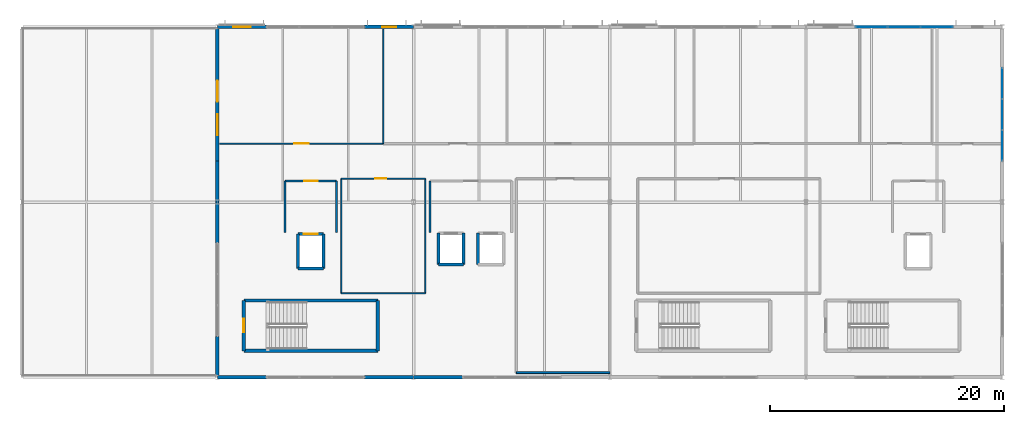
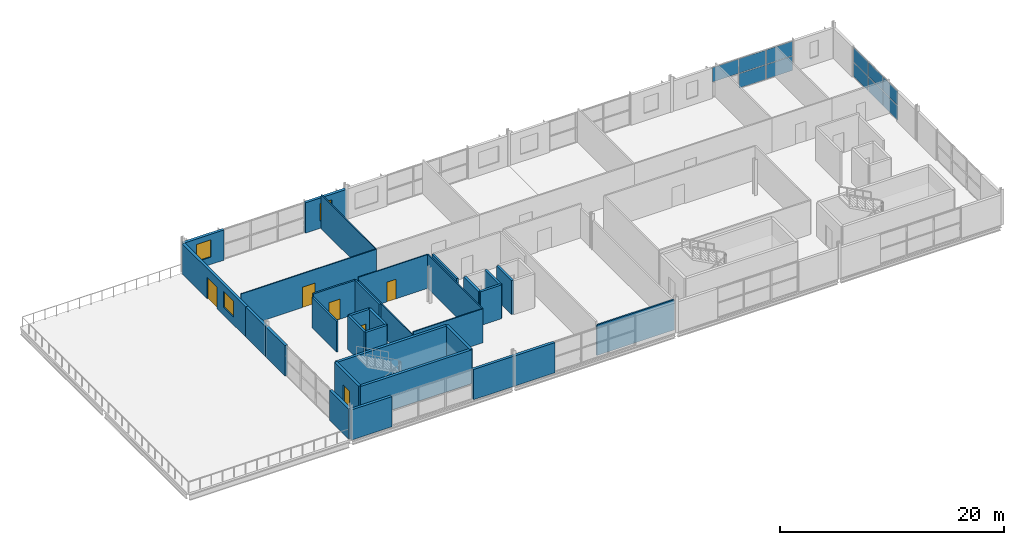
# One storey, part 13 of 18: 32 walls, 11 plates, 6 doors, 3 windows, 9 openings, 2 elements without a shape of their own.
"""IFC4 building model written with IfcOpenShell, lengths in metres."""

from ifc_helpers import new_model, si_unit, direction, frame, frame_2d, origin, origin_2d, place, context, subcontext, project, spatial, rectangle, extrude, material, layer, layer_set, type_object, element, fill, aggregate, save


model = new_model("IFC4")

# Units and contexts
model_context = context("Model", 3, precision=1e-05, world=origin(), true_north=direction((0.0, 1.0)))
body_context = subcontext(model_context, "Body", "Model", "MODEL_VIEW")
ifc_project = project(units=[si_unit("LENGTHUNIT", "METRE"), si_unit("AREAUNIT", "SQUARE_METRE"), si_unit("VOLUMEUNIT", "CUBIC_METRE"), si_unit("PLANEANGLEUNIT", "RADIAN"), si_unit("MASSUNIT", "GRAM", prefix="KILO")], contexts=[model_context])

# Site, building, storey
site_placement = place(None, origin())
site = spatial("IfcSite", under=ifc_project, at=site_placement, CompositionType="ELEMENT")
building_placement = place(site_placement, origin())
building = spatial("IfcBuilding", under=site, at=building_placement, Name="Kimbaza Rail Terminus", CompositionType="ELEMENT")
storey_placement = place(building_placement, frame((0.0, 0.0, 24.89990234375)))
storey = spatial("IfcBuildingStorey", under=building, at=storey_placement, Name="L05", CompositionType="ELEMENT", Elevation=24.89990234375)

# Curtain wall, plates
ifc_material_1 = material(Name="Anodised aluminium framing and solar low-E glazing", Category="aluminium")
curtain_wall_type = type_object("IfcCurtainWallType", Name="ARC-CW-OP2", PredefinedType="USERDEFINED", material=ifc_material_1)
curtain_wall_1_placement = place(storey_placement, origin())
curtain_wall_1 = element("IfcCurtainWall", 1, at=curtain_wall_1_placement, inside=storey, type_object=curtain_wall_type, Name="Operations North Curtain Wall L05 Bay 4", ObjectType="STICK CURTAIN WALL", PredefinedType="USERDEFINED")
ifc_material_2 = material(Name="Solar-control double low-E glazing", Category="glass")
ifc_layer_1 = layer(ifc_material_2, 0.02294921875)
ifc_layer_set_1 = layer_set([ifc_layer_1], Name="Solar-control double low-E glazing")
plate_type = type_object("IfcPlateType", Name="ARC-CWP-06", PredefinedType="CURTAIN_PANEL", material=ifc_layer_set_1)
plate_1_placement = place(storey_placement, frame((128.014404296875, 133.0, 1.67919921875), z_axis=(0.0, 0.0, 1.0), x_axis=(1.0, 0.0, 0.0)))
plate_1 = element("IfcPlate", 2, at=plate_1_placement, type_object=plate_type, Name="CW-06 panel 1.2", PredefinedType="CURTAIN_PANEL", context=body_context, shape_type="SweptSolid", body=[
    extrude(rectangle(XDim=2.712890625, YDim=0.02294921875, at=origin_2d()), origin(), (0.0, 0.0, 1.0), 1.56298828125),
])
plate_2_placement = place(storey_placement, frame((130.800048828125, 133.0, 0.05810546875), z_axis=(0.0, 0.0, 1.0), x_axis=(1.0, 0.0, 0.0)))
plate_2 = element("IfcPlate", 3, at=plate_2_placement, type_object=plate_type, Name="CW-06 panel 2.1", PredefinedType="CURTAIN_PANEL", context=body_context, shape_type="SweptSolid", body=[
    extrude(rectangle(XDim=2.741943359375, YDim=0.02294921875, at=origin_2d()), origin(), (0.0, 0.0, 1.0), 1.56298828125),
])
plate_3_placement = place(storey_placement, frame((130.800048828125, 133.0, 1.67919921875), z_axis=(0.0, 0.0, 1.0), x_axis=(1.0, 0.0, 0.0)))
plate_3 = element("IfcPlate", 4, at=plate_3_placement, type_object=plate_type, Name="CW-06 panel 2.2", PredefinedType="CURTAIN_PANEL", context=body_context, shape_type="SweptSolid", body=[
    extrude(rectangle(XDim=2.741943359375, YDim=0.02294921875, at=origin_2d()), origin(), (0.0, 0.0, 1.0), 1.56298828125),
])
plate_4_placement = place(storey_placement, frame((133.58544921875, 133.0, 0.05810546875), z_axis=(0.0, 0.0, 1.0), x_axis=(1.0, 0.0, 0.0)))
plate_4 = element("IfcPlate", 5, at=plate_4_placement, type_object=plate_type, Name="CW-06 panel 3.1", PredefinedType="CURTAIN_PANEL", context=body_context, shape_type="SweptSolid", body=[
    extrude(rectangle(XDim=2.712890625, YDim=0.02294921875, at=origin_2d()), origin(), (0.0, 0.0, 1.0), 1.56298828125),
])
plate_5_placement = place(storey_placement, frame((133.58544921875, 133.0, 1.67919921875), z_axis=(0.0, 0.0, 1.0), x_axis=(1.0, 0.0, 0.0)))
plate_5 = element("IfcPlate", 6, at=plate_5_placement, type_object=plate_type, Name="CW-06 panel 3.2", PredefinedType="CURTAIN_PANEL", context=body_context, shape_type="SweptSolid", body=[
    extrude(rectangle(XDim=2.712890625, YDim=0.02294921875, at=origin_2d()), origin(), (0.0, 0.0, 1.0), 1.56298828125),
])
aggregate(curtain_wall_1, [plate_1, plate_2, plate_3, plate_4, plate_5])

curtain_wall_2_placement = place(storey_placement, origin())
curtain_wall_2 = element("IfcCurtainWall", 7, at=curtain_wall_2_placement, inside=storey, type_object=curtain_wall_type, Name="Operations E Curtain Wall L05.2", ObjectType="STICK CURTAIN WALL", PredefinedType="USERDEFINED")
plate_6_placement = place(storey_placement, frame((139.199951171875, 122.847900390625, 0.05810546875), z_axis=(0.0, 0.0, 1.0), x_axis=(0.0, 1.0, 0.0)))
plate_6 = element("IfcPlate", 8, at=plate_6_placement, type_object=plate_type, Name="CW-06 panel 1.1", PredefinedType="CURTAIN_PANEL", context=body_context, shape_type="SweptSolid", body=[
    extrude(rectangle(XDim=2.57958984375, YDim=0.02294921875, at=origin_2d()), origin(), (0.0, 0.0, 1.0), 1.56298828125),
])
plate_7_placement = place(storey_placement, frame((139.199951171875, 122.847900390625, 1.67919921875), z_axis=(0.0, 0.0, 1.0), x_axis=(0.0, 1.0, 0.0)))
plate_7 = element("IfcPlate", 9, at=plate_7_placement, type_object=plate_type, Name="CW-06 panel 1.2", PredefinedType="CURTAIN_PANEL", context=body_context, shape_type="SweptSolid", body=[
    extrude(rectangle(XDim=2.57958984375, YDim=0.02294921875, at=origin_2d()), origin(), (0.0, 0.0, 1.0), 1.56298828125),
])
plate_8_placement = place(storey_placement, frame((139.199951171875, 125.5, 0.05810546875), z_axis=(0.0, 0.0, 1.0), x_axis=(0.0, 1.0, 0.0)))
plate_8 = element("IfcPlate", 10, at=plate_8_placement, type_object=plate_type, Name="CW-06 panel 2.1", PredefinedType="CURTAIN_PANEL", context=body_context, shape_type="SweptSolid", body=[
    extrude(rectangle(XDim=2.608642578125, YDim=0.02294921875, at=origin_2d()), origin(), (0.0, 0.0, 1.0), 1.56298828125),
])
plate_9_placement = place(storey_placement, frame((139.199951171875, 125.5, 1.67919921875), z_axis=(0.0, 0.0, 1.0), x_axis=(0.0, 1.0, 0.0)))
plate_9 = element("IfcPlate", 11, at=plate_9_placement, type_object=plate_type, Name="CW-06 panel 2.2", PredefinedType="CURTAIN_PANEL", context=body_context, shape_type="SweptSolid", body=[
    extrude(rectangle(XDim=2.608642578125, YDim=0.02294921875, at=origin_2d()), origin(), (0.0, 0.0, 1.0), 1.56298828125),
])
plate_10_placement = place(storey_placement, frame((139.199951171875, 128.152099609375, 0.05810546875), z_axis=(0.0, 0.0, 1.0), x_axis=(0.0, 1.0, 0.0)))
plate_10 = element("IfcPlate", 12, at=plate_10_placement, type_object=plate_type, Name="CW-06 panel 3.1", PredefinedType="CURTAIN_PANEL", context=body_context, shape_type="SweptSolid", body=[
    extrude(rectangle(XDim=2.57958984375, YDim=0.02294921875, at=origin_2d()), origin(), (0.0, 0.0, 1.0), 1.56298828125),
])
plate_11_placement = place(storey_placement, frame((139.199951171875, 128.152099609375, 1.67919921875), z_axis=(0.0, 0.0, 1.0), x_axis=(0.0, 1.0, 0.0)))
plate_11 = element("IfcPlate", 13, at=plate_11_placement, type_object=plate_type, Name="CW-06 panel 3.2", PredefinedType="CURTAIN_PANEL", context=body_context, shape_type="SweptSolid", body=[
    extrude(rectangle(XDim=2.57958984375, YDim=0.02294921875, at=origin_2d()), origin(), (0.0, 0.0, 1.0), 1.56298828125),
])
aggregate(curtain_wall_2, [plate_6, plate_7, plate_8, plate_9, plate_10, plate_11])

# Wall, opening, window
ifc_material_3 = material(Name="Precast concrete C40/50", Category="concrete")
ifc_layer_2 = layer(ifc_material_3, 0.280029296875)
ifc_layer_set_2 = layer_set([ifc_layer_2], Name="Precast concrete C40/50")
wall_type_1 = type_object("IfcWallType", Name="ARC-WL-EXT280", PredefinedType="STANDARD", material=ifc_layer_set_2)
wall_1_placement = place(storey_placement, frame((72.0, 133.0, 0.0), z_axis=(0.0, 0.0, 1.0), x_axis=(1.0, 0.0, 0.0)))
wall_1 = element("IfcWall", 14, at=wall_1_placement, inside=storey, type_object=wall_type_1, Name="Operations North Pier L05 0A", PredefinedType="STANDARD", context=body_context, shape_type="SweptSolid", body=[
    extrude(rectangle(XDim=4.199951171875, YDim=0.280029296875, at=frame_2d((2.10009765625, 0.0))), origin(), (0.0, 0.0, 1.0), 3.300048828125),
])
opening_1_placement = place(wall_1_placement, frame((1.35009765625, 0.0, 0.800048828125)))
opening_1 = element("IfcOpeningElement", 15, at=opening_1_placement, cuts=wall_1, Name="Opening W-08", PredefinedType="OPENING", context=body_context, shape_type="SweptSolid", body=[
    extrude(rectangle(XDim=1.5, YDim=1.89990234375, at=frame_2d((0.75, 0.949951171875))), frame((0.0, 0.14990234375, 0.0), z_axis=(0.0, -1.0, 0.0), x_axis=(1.0, 0.0, 0.0)), (0.0, 0.0, 1.0), 0.300048828125),
])
ifc_material_4 = material(Name="Thermally broken aluminium and solar low-E glass", Category="aluminium")
window_type_1 = type_object("IfcWindowType", Name="ARC-WIN-W-08", PartitioningType="SINGLE_PANEL", PredefinedType="WINDOW", material=ifc_material_4)
window_1_placement = place(opening_1_placement, origin())
window_1 = element("IfcWindow", 16, at=window_1_placement, inside=storey, type_object=window_type_1, Name="North Facade Window W-08", OverallHeight=1.89990234375, OverallWidth=1.5, PartitioningType="SINGLE_PANEL", PredefinedType="WINDOW", context=body_context, shape_type="SweptSolid", body=[
    extrude(rectangle(XDim=1.5, YDim=1.89990234375, at=frame_2d((0.75, 0.949951171875))), frame((0.0, 0.030029296875, 0.0), z_axis=(0.0, -1.0, 0.0), x_axis=(1.0, 0.0, 0.0)), (0.0, 0.0, 1.0), 0.06005859375),
])
fill(opening_1, window_1)

wall_2_placement = place(storey_placement, frame((84.60009765625, 133.0, 0.0), z_axis=(0.0, 0.0, 1.0), x_axis=(1.0, 0.0, 0.0)))
wall_2 = element("IfcWall", 17, at=wall_2_placement, inside=storey, type_object=wall_type_1, Name="Operations North Pier L05 0B", PredefinedType="STANDARD", context=body_context, shape_type="SweptSolid", body=[
    extrude(rectangle(XDim=4.199951171875, YDim=0.280029296875, at=frame_2d((2.10009765625, 0.0))), origin(), (0.0, 0.0, 1.0), 3.300048828125),
])
opening_2_placement = place(wall_2_placement, frame((1.5, 0.0, 0.800048828125)))
opening_2 = element("IfcOpeningElement", 18, at=opening_2_placement, cuts=wall_2, Name="Opening W-09", PredefinedType="OPENING", context=body_context, shape_type="SweptSolid", body=[
    extrude(rectangle(XDim=1.199951171875, YDim=1.89990234375, at=frame_2d((0.60009765625, 0.949951171875))), frame((0.0, 0.14990234375, 0.0), z_axis=(0.0, -1.0, 0.0), x_axis=(1.0, 0.0, 0.0)), (0.0, 0.0, 1.0), 0.300048828125),
])
ifc_material_5 = material(Name="Thermally broken aluminium and solar low-E glass", Category="aluminium")
window_type_2 = type_object("IfcWindowType", Name="ARC-WIN-W-09", PartitioningType="SINGLE_PANEL", PredefinedType="WINDOW", material=ifc_material_5)
window_2_placement = place(opening_2_placement, origin())
window_2 = element("IfcWindow", 19, at=window_2_placement, inside=storey, type_object=window_type_2, Name="North Facade Window W-09", OverallHeight=1.89990234375, OverallWidth=1.199951171875, PartitioningType="SINGLE_PANEL", PredefinedType="WINDOW", context=body_context, shape_type="SweptSolid", body=[
    extrude(rectangle(XDim=1.199951171875, YDim=1.89990234375, at=frame_2d((0.60009765625, 0.949951171875))), frame((0.0, 0.030029296875, 0.0), z_axis=(0.0, -1.0, 0.0), x_axis=(1.0, 0.0, 0.0)), (0.0, 0.0, 1.0), 0.06005859375),
])
fill(opening_2, window_2)

# Walls
for number, where, z_axis, x_axis, name in (
    (20, (72.0, 103.0, 0.0), (0.0, 0.0, 1.0), (1.0, 0.0, 0.0), "Operations South Wall L05 0A"),
    (21, (84.60009765625, 103.0, 0.0), (0.0, 0.0, 1.0), (1.0, 0.0, 0.0), "Operations South Wall L05 0B"),
    (22, (88.800048828125, 103.0, 0.0), (0.0, 0.0, 1.0), (1.0, 0.0, 0.0), "Operations South Wall L05 1A"),
):
    element("IfcWall", number, at=place(storey_placement, frame(where, z_axis=z_axis, x_axis=x_axis)), inside=storey, type_object=wall_type_1, Name=name, PredefinedType="STANDARD", context=body_context, shape_type="SweptSolid", body=[
        extrude(rectangle(XDim=4.199951171875, YDim=0.280029296875, at=frame_2d((2.10009765625, 0.0))), origin(), (0.0, 0.0, 1.0), 3.300048828125),
    ])
wall_3_placement = place(storey_placement, frame((72.0, 103.139892578125, 0.0), z_axis=(0.0, 0.0, 1.0), x_axis=(0.0, 1.0, 0.0)))
element("IfcWall", 23, at=wall_3_placement, inside=storey, type_object=wall_type_1, Name="Operations W End Pier L05", PredefinedType="STANDARD", context=body_context, shape_type="SweptSolid", body=[
    extrude(rectangle(XDim=3.360107421875, YDim=0.280029296875, at=frame_2d((1.68017578125, 0.0))), origin(), (0.0, 0.0, 1.0), 3.300048828125),
])
for number, where, z_axis, x_axis, name in (
    (24, (72.0, 114.5, 0.0), (0.0, 0.0, 1.0), (0.0, 1.0, 0.0), "Operations W Corner Wall L05"),
    (25, (72.0, 118.0, 0.0), (0.0, 0.0, 1.0), (0.0, 1.0, 0.0), "Operations W End Pier L05"),
):
    element("IfcWall", number, at=place(storey_placement, frame(where, z_axis=z_axis, x_axis=x_axis)), inside=storey, type_object=wall_type_1, Name=name, PredefinedType="STANDARD", context=body_context, shape_type="SweptSolid", body=[
        extrude(rectangle(XDim=3.5, YDim=0.280029296875, at=frame_2d((1.75, 0.0))), origin(), (0.0, 0.0, 1.0), 3.300048828125),
    ])

# Wall, openings, door, window
wall_4_placement = place(storey_placement, frame((72.0, 121.5, 0.0), z_axis=(0.0, 0.0, 1.0), x_axis=(0.0, 1.0, 0.0)))
wall_4 = element("IfcWall", 26, at=wall_4_placement, inside=storey, type_object=wall_type_1, Name="Operations L05 Terrace Access Wall", PredefinedType="STANDARD", context=body_context, shape_type="SweptSolid", body=[
    extrude(rectangle(XDim=11.360107421875, YDim=0.280029296875, at=frame_2d((5.68017578125, 0.0))), origin(), (0.0, 0.0, 1.0), 3.300048828125),
])
opening_3_placement = place(wall_4_placement, frame((5.10009765625, 0.0, 0.0)))
opening_3 = element("IfcOpeningElement", 27, at=opening_3_placement, cuts=wall_4, Name="Opening D-TR1", PredefinedType="OPENING", context=body_context, shape_type="SweptSolid", body=[
    extrude(rectangle(XDim=1.800048828125, YDim=2.35009765625, at=frame_2d((0.89990234375, 1.175048828125))), frame((0.0, 0.14990234375, 0.0), z_axis=(0.0, -1.0, 0.0), x_axis=(1.0, 0.0, 0.0)), (0.0, 0.0, 1.0), 0.300048828125),
])
opening_4_placement = place(wall_4_placement, frame((2.199951171875, 0.0, 0.85009765625)))
opening_4 = element("IfcOpeningElement", 28, at=opening_4_placement, cuts=wall_4, Name="Opening W-12", PredefinedType="OPENING", context=body_context, shape_type="SweptSolid", body=[
    extrude(rectangle(XDim=1.800048828125, YDim=1.75, at=frame_2d((0.89990234375, 0.875))), frame((0.0, 0.14990234375, 0.0), z_axis=(0.0, -1.0, 0.0), x_axis=(1.0, 0.0, 0.0)), (0.0, 0.0, 1.0), 0.300048828125),
])
ifc_material_6 = material(Name="Thermally broken aluminium glazed terrace door", Category="aluminium")
door_type_1 = type_object("IfcDoorType", Name="ARC-DR-TER18", OperationType="NOTDEFINED", PredefinedType="DOOR", material=ifc_material_6)
door_1_placement = place(opening_3_placement, origin())
door_1 = element("IfcDoor", 29, at=door_1_placement, inside=storey, type_object=door_type_1, Name="DR-TER-L05", OperationType="SINGLE_SWING_LEFT", OverallHeight=2.35009765625, OverallWidth=1.800048828125, PredefinedType="DOOR", context=body_context, shape_type="SweptSolid", body=[
    extrude(rectangle(XDim=1.800048828125, YDim=2.35009765625, at=frame_2d((0.89990234375, 1.175048828125))), frame((0.0, 0.02490234375, 0.0), z_axis=(0.0, -1.0, 0.0), x_axis=(1.0, 0.0, 0.0)), (0.0, 0.0, 1.0), 0.050048828125),
])
fill(opening_3, door_1)
ifc_material_7 = material(Name="Thermally broken aluminium and solar low-E glass", Category="aluminium")
window_type_3 = type_object("IfcWindowType", Name="ARC-WIN-W-12", PartitioningType="SINGLE_PANEL", PredefinedType="WINDOW", material=ifc_material_7)
window_3_placement = place(opening_4_placement, origin())
window_3 = element("IfcWindow", 30, at=window_3_placement, inside=storey, type_object=window_type_3, Name="L05 Terrace Outlook Window", OverallHeight=1.75, OverallWidth=1.800048828125, PartitioningType="SINGLE_PANEL", PredefinedType="WINDOW", context=body_context, shape_type="SweptSolid", body=[
    extrude(rectangle(XDim=1.800048828125, YDim=1.75, at=frame_2d((0.89990234375, 0.875))), frame((0.0, 0.030029296875, 0.0), z_axis=(0.0, -1.0, 0.0), x_axis=(1.0, 0.0, 0.0)), (0.0, 0.0, 1.0), 0.06005859375),
])
fill(opening_4, window_3)

# Wall
ifc_material_8 = material(Name="Concrete blockwork C30/37", Category="masonry")
ifc_layer_3 = layer(ifc_material_8, 0.179931640625)
ifc_layer_set_3 = layer_set([ifc_layer_3], Name="Concrete blockwork C30/37")
wall_type_2 = type_object("IfcWallType", Name="ARC-WL-FIRE180", PredefinedType="PARTITIONING", material=ifc_layer_set_3)
wall_5_placement = place(storey_placement, frame((82.199951171875, 115.39990234375, 0.0), z_axis=(0.0, 0.0, 1.0), x_axis=(0.0, 1.0, 0.0)))
element("IfcWall", 31, at=wall_5_placement, inside=storey, type_object=wall_type_2, Name="Firefighting Lobby LF-01 Partition (east)", PredefinedType="PARTITIONING", context=body_context, shape_type="SweptSolid", body=[
    extrude(rectangle(XDim=4.400146484375, YDim=0.179931640625, at=frame_2d((2.2001953125, 0.0))), origin(), (0.0, 0.0, 1.0), 3.695068359375),
])

# Wall, opening, door
wall_6_placement = place(storey_placement, frame((82.199951171875, 119.800048828125, 0.0), z_axis=(0.0, 0.0, 1.0), x_axis=(-1.0, 0.0, 0.0)))
wall_6 = element("IfcWall", 32, at=wall_6_placement, inside=storey, type_object=wall_type_2, Name="Firefighting Lobby LF-01 Partition (north)", PredefinedType="PARTITIONING", context=body_context, shape_type="SweptSolid", body=[
    extrude(rectangle(XDim=4.39990234375, YDim=0.179931640625, at=frame_2d((2.199951171875, 0.0))), origin(), (0.0, 0.0, 1.0), 3.695068359375),
])
opening_5_placement = place(wall_6_placement, frame((1.625, 0.0, 0.0)))
opening_5 = element("IfcOpeningElement", 33, at=opening_5_placement, cuts=wall_6, Name="Opening FD-03", PredefinedType="OPENING", context=body_context, shape_type="SweptSolid", body=[
    extrude(rectangle(XDim=1.14990234375, YDim=2.199951171875, at=frame_2d((0.574951171875, 1.10009765625))), frame((0.0, 0.099853515625, 0.0), z_axis=(0.0, -1.0, 0.0), x_axis=(1.0, 0.0, 0.0)), (0.0, 0.0, 1.0), 0.199951171875),
])
ifc_material_9 = material(Name="Firefighting lobby self-closing steel door", Category="steel")
door_type_2 = type_object("IfcDoorType", Name="ARC-DR-FD115", OperationType="NOTDEFINED", PredefinedType="DOOR", material=ifc_material_9)
door_2_placement = place(opening_5_placement, origin())
door_2 = element("IfcDoor", 34, at=door_2_placement, inside=storey, type_object=door_type_2, Name="IDR-SPC-FFL-LF-01-L05", OperationType="SINGLE_SWING_LEFT", OverallHeight=2.199951171875, OverallWidth=1.14990234375, PredefinedType="DOOR", context=body_context, shape_type="SweptSolid", body=[
    extrude(rectangle(XDim=1.14990234375, YDim=2.199951171875, at=frame_2d((0.574951171875, 1.10009765625))), frame((0.0, 0.02490234375, 0.0), z_axis=(0.0, -1.0, 0.0), x_axis=(1.0, 0.0, 0.0)), (0.0, 0.0, 1.0), 0.050048828125),
])
fill(opening_5, door_2)

# Walls
wall_7_placement = place(storey_placement, frame((77.800048828125, 119.800048828125, 0.0), z_axis=(0.0, 0.0, 1.0), x_axis=(0.0, -1.0, 0.0)))
element("IfcWall", 35, at=wall_7_placement, inside=storey, type_object=wall_type_2, Name="Firefighting Lobby LF-01 Partition (west)", PredefinedType="PARTITIONING", context=body_context, shape_type="SweptSolid", body=[
    extrude(rectangle(XDim=4.400146484375, YDim=0.179931640625, at=frame_2d((2.2001953125, 0.0))), origin(), (0.0, 0.0, 1.0), 3.360107421875),
])
wall_8_placement = place(storey_placement, frame((90.199951171875, 119.800048828125, 0.0), z_axis=(0.0, 0.0, 1.0), x_axis=(0.0, -1.0, 0.0)))
element("IfcWall", 36, at=wall_8_placement, inside=storey, type_object=wall_type_2, Name="Operations Lift Lobby L05 Partition (west)", PredefinedType="PARTITIONING", context=body_context, shape_type="SweptSolid", body=[
    extrude(rectangle(XDim=4.400146484375, YDim=0.179931640625, at=frame_2d((2.2001953125, 0.0))), origin(), (0.0, 0.0, 1.0), 3.695068359375),
])

# Wall, opening, door
ifc_material_10 = material(Name="Demountable acoustic glass wall", Category="glass")
ifc_layer_4 = layer(ifc_material_10, 0.110107421875)
ifc_layer_set_4 = layer_set([ifc_layer_4], Name="Demountable acoustic glass wall")
wall_type_3 = type_object("IfcWallType", Name="ARC-WL-MOV110", PredefinedType="MOVABLE", material=ifc_layer_set_4)
wall_9_placement = place(storey_placement, frame((72.199951171875, 123.0, 0.0), z_axis=(0.0, 0.0, 1.0), x_axis=(1.0, 0.0, 0.0)))
wall_9 = element("IfcWall", 37, at=wall_9_placement, inside=storey, type_object=wall_type_3, Name="Staff Canteen and Terrace Dining Room Partition (south)", PredefinedType="MOVABLE", context=body_context, shape_type="SweptSolid", body=[
    extrude(rectangle(XDim=14.0, YDim=0.110107421875, at=frame_2d((7.0, 0.0))), origin(), (0.0, 0.0, 1.0), 3.695068359375),
])
opening_6_placement = place(wall_9_placement, frame((6.360107421875, 0.0, 0.0)))
opening_6 = element("IfcOpeningElement", 38, at=opening_6_placement, cuts=wall_9, Name="Opening ID-12", PredefinedType="OPENING", context=body_context, shape_type="SweptSolid", body=[
    extrude(rectangle(XDim=1.280029296875, YDim=2.219970703125, at=frame_2d((0.64013671875, 1.10986328125))), frame((0.0, 0.06494140625, 0.0), z_axis=(0.0, -1.0, 0.0), x_axis=(1.0, 0.0, 0.0)), (0.0, 0.0, 1.0), 0.130126953125),
])
ifc_material_11 = material(Name="Engineering studio double-seal door", Category="wood")
door_type_3 = type_object("IfcDoorType", Name="ARC-DR-ID128", OperationType="NOTDEFINED", PredefinedType="DOOR", material=ifc_material_11)
door_3_placement = place(opening_6_placement, origin())
door_3 = element("IfcDoor", 39, at=door_3_placement, inside=storey, type_object=door_type_3, Name="IDR-SPC-V5N-L05-01", OperationType="SINGLE_SWING_LEFT", OverallHeight=2.219970703125, OverallWidth=1.280029296875, PredefinedType="DOOR", context=body_context, shape_type="SweptSolid", body=[
    extrude(rectangle(XDim=1.280029296875, YDim=2.219970703125, at=frame_2d((0.64013671875, 1.10986328125))), frame((0.0, 0.02490234375, 0.0), z_axis=(0.0, -1.0, 0.0), x_axis=(1.0, 0.0, 0.0)), (0.0, 0.0, 1.0), 0.050048828125),
])
fill(opening_6, door_3)

# Walls
wall_10_placement = place(storey_placement, frame((86.199951171875, 123.0, 0.0), z_axis=(0.0, 0.0, 1.0), x_axis=(0.0, 1.0, 0.0)))
element("IfcWall", 40, at=wall_10_placement, inside=storey, type_object=wall_type_3, Name="Staff Canteen and Terrace Dining Room Partition (east)", PredefinedType="MOVABLE", context=body_context, shape_type="SweptSolid", body=[
    extrude(rectangle(XDim=9.800048828125, YDim=0.110107421875, at=frame_2d((4.89990234375, 0.0))), origin(), (0.0, 0.0, 1.0), 3.695068359375),
])
wall_11_placement = place(storey_placement, frame((82.60009765625, 110.199951171875, 0.0), z_axis=(0.0, 0.0, 1.0), x_axis=(1.0, 0.0, 0.0)))
element("IfcWall", 41, at=wall_11_placement, inside=storey, type_object=wall_type_3, Name="L05 Traction Metering Workshop Partition (south)", PredefinedType="MOVABLE", context=body_context, shape_type="SweptSolid", body=[
    extrude(rectangle(XDim=7.199951171875, YDim=0.110107421875, at=frame_2d((3.60009765625, 0.0))), origin(), (0.0, 0.0, 1.0), 3.695068359375),
])
wall_12_placement = place(storey_placement, frame((89.800048828125, 110.199951171875, 0.0), z_axis=(0.0, 0.0, 1.0), x_axis=(0.0, 1.0, 0.0)))
element("IfcWall", 42, at=wall_12_placement, inside=storey, type_object=wall_type_3, Name="L05 Traction Metering Workshop Partition (east)", PredefinedType="MOVABLE", context=body_context, shape_type="SweptSolid", body=[
    extrude(rectangle(XDim=9.800048828125, YDim=0.110107421875, at=frame_2d((4.89990234375, 0.0))), origin(), (0.0, 0.0, 1.0), 3.695068359375),
])

# Wall, opening, door
wall_13_placement = place(storey_placement, frame((89.800048828125, 120.0, 0.0), z_axis=(0.0, 0.0, 1.0), x_axis=(-1.0, 0.0, 0.0)))
wall_13 = element("IfcWall", 43, at=wall_13_placement, inside=storey, type_object=wall_type_3, Name="L05 Traction Metering Workshop Partition (north)", PredefinedType="MOVABLE", context=body_context, shape_type="SweptSolid", body=[
    extrude(rectangle(XDim=7.199951171875, YDim=0.110107421875, at=frame_2d((3.60009765625, 0.0))), origin(), (0.0, 0.0, 1.0), 3.695068359375),
])
opening_7_placement = place(wall_13_placement, frame((3.324951171875, 0.0, 0.0)))
opening_7 = element("IfcOpeningElement", 44, at=opening_7_placement, cuts=wall_13, Name="Opening ID-06", PredefinedType="OPENING", context=body_context, shape_type="SweptSolid", body=[
    extrude(rectangle(XDim=0.949951171875, YDim=2.14990234375, at=frame_2d((0.47509765625, 1.074951171875))), frame((0.0, 0.06494140625, 0.0), z_axis=(0.0, -1.0, 0.0), x_axis=(1.0, 0.0, 0.0)), (0.0, 0.0, 1.0), 0.130126953125),
])
ifc_material_12 = material(Name="Accessible washroom outward-capable door", Category="wood")
door_type_4 = type_object("IfcDoorType", Name="ARC-DR-ID095", OperationType="NOTDEFINED", PredefinedType="DOOR", material=ifc_material_12)
door_4_placement = place(opening_7_placement, origin())
door_4 = element("IfcDoor", 45, at=door_4_placement, inside=storey, type_object=door_type_4, Name="IDR-SPC-V5S-L05-1", OperationType="SINGLE_SWING_LEFT", OverallHeight=2.14990234375, OverallWidth=0.949951171875, PredefinedType="DOOR", context=body_context, shape_type="SweptSolid", body=[
    extrude(rectangle(XDim=0.949951171875, YDim=2.14990234375, at=frame_2d((0.47509765625, 1.074951171875))), frame((0.0, 0.02490234375, 0.0), z_axis=(0.0, -1.0, 0.0), x_axis=(1.0, 0.0, 0.0)), (0.0, 0.0, 1.0), 0.050048828125),
])
fill(opening_7, door_4)

# Walls
wall_14_placement = place(storey_placement, frame((82.60009765625, 120.0, 0.0), z_axis=(0.0, 0.0, 1.0), x_axis=(0.0, -1.0, 0.0)))
element("IfcWall", 46, at=wall_14_placement, inside=storey, type_object=wall_type_3, Name="L05 Traction Metering Workshop Partition (west)", PredefinedType="MOVABLE", context=body_context, shape_type="SweptSolid", body=[
    extrude(rectangle(XDim=9.800048828125, YDim=0.110107421875, at=frame_2d((4.89990234375, 0.0))), origin(), (0.0, 0.0, 1.0), 3.360107421875),
])
ifc_material_13 = material(Name="Acoustic gypsum stud partition", Category="gypsum")
ifc_layer_5 = layer(ifc_material_13, 0.159912109375)
ifc_layer_set_5 = layer_set([ifc_layer_5], Name="Acoustic gypsum stud partition")
wall_type_4 = type_object("IfcWallType", Name="ARC-WL-PART160", PredefinedType="PARTITIONING", material=ifc_layer_set_5)
wall_15_placement = place(storey_placement, frame((97.60009765625, 103.39990234375, 0.0), z_axis=(0.0, 0.0, 1.0), x_axis=(1.0, 0.0, 0.0)))
element("IfcWall", 47, at=wall_15_placement, inside=storey, type_object=wall_type_4, Name="L05 Network Dispatch Briefing Room Partition (south)", PredefinedType="PARTITIONING", context=body_context, shape_type="SweptSolid", body=[
    extrude(rectangle(XDim=8.0, YDim=0.159912109375, at=frame_2d((4.0, 0.0))), origin(), (0.0, 0.0, 1.0), 3.300048828125),
])
ifc_material_14 = material(Name="Concrete C40/50", Category="concrete")
ifc_layer_6 = layer(ifc_material_14, 0.25)
ifc_layer_set_6 = layer_set([ifc_layer_6], Name="Concrete C40/50")
wall_type_5 = type_object("IfcWallType", Name="STR-WL-CORE250", PredefinedType="SHEAR", material=ifc_layer_set_6)
wall_16_placement = place(storey_placement, frame((90.919921875, 112.669921875, 0.0), z_axis=(0.0, 0.0, 1.0), x_axis=(1.0, 0.0, 0.0)))
element("IfcWall", 48, at=wall_16_placement, inside=storey, type_object=wall_type_5, Name="Lift Shaft Wall LP-08 L05-1", PredefinedType="SHEAR", context=body_context, shape_type="SweptSolid", body=[
    extrude(rectangle(XDim=2.16015625, YDim=0.25, at=frame_2d((1.080078125, 0.0))), origin(), (0.0, 0.0, 1.0), 3.695068359375),
])
for number, where, z_axis, x_axis, name in (
    (49, (93.080078125, 112.669921875, 0.0), (0.0, 0.0, 1.0), (0.0, 1.0, 0.0), "Lift Shaft Wall LP-08 L05-2"),
    (50, (90.919921875, 115.330078125, 0.0), (0.0, 0.0, 1.0), (0.0, -1.0, 0.0), "Lift Shaft Wall LP-08 L05-4"),
    (51, (94.320068359375, 115.330078125, 0.0), (0.0, 0.0, 1.0), (0.0, -1.0, 0.0), "Lift Shaft Wall LP-09 L05-4"),
):
    element("IfcWall", number, at=place(storey_placement, frame(where, z_axis=z_axis, x_axis=x_axis)), inside=storey, type_object=wall_type_5, Name=name, PredefinedType="SHEAR", context=body_context, shape_type="SweptSolid", body=[
        extrude(rectangle(XDim=2.66015625, YDim=0.25, at=frame_2d((1.330078125, 0.0))), origin(), (0.0, 0.0, 1.0), 3.695068359375),
    ])
wall_17_placement = place(storey_placement, frame((78.919921875, 112.320068359375, 0.0), z_axis=(0.0, 0.0, 1.0), x_axis=(1.0, 0.0, 0.0)))
element("IfcWall", 52, at=wall_17_placement, inside=storey, type_object=wall_type_5, Name="Lift Shaft Wall LF-01 L05-1", PredefinedType="SHEAR", context=body_context, shape_type="SweptSolid", body=[
    extrude(rectangle(XDim=2.16015625, YDim=0.25, at=frame_2d((1.080078125, 0.0))), origin(), (0.0, 0.0, 1.0), 3.695068359375),
])
wall_18_placement = place(storey_placement, frame((81.080078125, 112.320068359375, 0.0), z_axis=(0.0, 0.0, 1.0), x_axis=(0.0, 1.0, 0.0)))
element("IfcWall", 53, at=wall_18_placement, inside=storey, type_object=wall_type_5, Name="Lift Shaft Wall LF-01 L05-2", PredefinedType="SHEAR", context=body_context, shape_type="SweptSolid", body=[
    extrude(rectangle(XDim=2.9599609375, YDim=0.25, at=frame_2d((1.47998046875, 0.0))), origin(), (0.0, 0.0, 1.0), 3.695068359375),
])

# Wall, opening, door
wall_19_placement = place(storey_placement, frame((81.080078125, 115.280029296875, 0.0), z_axis=(0.0, 0.0, 1.0), x_axis=(-1.0, 0.0, 0.0)))
wall_19 = element("IfcWall", 54, at=wall_19_placement, inside=storey, type_object=wall_type_5, Name="Lift Shaft Wall LF-01 L05-3", PredefinedType="SHEAR", context=body_context, shape_type="SweptSolid", body=[
    extrude(rectangle(XDim=2.16015625, YDim=0.25, at=frame_2d((1.080078125, 0.0))), origin(), (0.0, 0.0, 1.0), 3.695068359375),
])
opening_8_placement = place(wall_19_placement, frame((0.47998046875, 0.0, 0.0)))
opening_8 = element("IfcOpeningElement", 55, at=opening_8_placement, cuts=wall_19, Name="Opening LD-02", PredefinedType="OPENING", context=body_context, shape_type="SweptSolid", body=[
    extrude(rectangle(XDim=1.199951171875, YDim=2.199951171875, at=frame_2d((0.60009765625, 1.10009765625))), frame((0.0, 0.135009765625, 0.0), z_axis=(0.0, -1.0, 0.0), x_axis=(1.0, 0.0, 0.0)), (0.0, 0.0, 1.0), 0.27001953125),
])
ifc_material_15 = material(Name="Firefighting stainless steel landing door", Category="steel")
door_type_5 = type_object("IfcDoorType", Name="ARC-DR-LD120", OperationType="NOTDEFINED", PredefinedType="DOOR", material=ifc_material_15)
door_5_placement = place(opening_8_placement, origin())
door_5 = element("IfcDoor", 56, at=door_5_placement, inside=storey, type_object=door_type_5, Name="LDR-LF-01-L05", OperationType="SLIDING_TO_LEFT", OverallHeight=2.199951171875, OverallWidth=1.199951171875, PredefinedType="DOOR", context=body_context, shape_type="SweptSolid", body=[
    extrude(rectangle(XDim=1.199951171875, YDim=2.199951171875, at=frame_2d((0.60009765625, 1.10009765625))), frame((0.0, 0.02490234375, 0.0), z_axis=(0.0, -1.0, 0.0), x_axis=(1.0, 0.0, 0.0)), (0.0, 0.0, 1.0), 0.050048828125),
])
fill(opening_8, door_5)

# Walls
wall_20_placement = place(storey_placement, frame((78.919921875, 115.280029296875, 0.0), z_axis=(0.0, 0.0, 1.0), x_axis=(0.0, -1.0, 0.0)))
element("IfcWall", 57, at=wall_20_placement, inside=storey, type_object=wall_type_5, Name="Lift Shaft Wall LF-01 L05-4", PredefinedType="SHEAR", context=body_context, shape_type="SweptSolid", body=[
    extrude(rectangle(XDim=2.9599609375, YDim=0.25, at=frame_2d((1.47998046875, 0.0))), origin(), (0.0, 0.0, 1.0), 3.695068359375),
])
ifc_material_16 = material(Name="Concrete C40/50", Category="concrete")
ifc_layer_7 = layer(ifc_material_16, 0.280029296875)
ifc_layer_set_7 = layer_set([ifc_layer_7], Name="Concrete C40/50")
wall_type_6 = type_object("IfcWallType", Name="STR-WL-CORE280", PredefinedType="SHEAR", material=ifc_layer_set_7)
wall_21_placement = place(storey_placement, frame((74.260009765625, 105.260009765625, 0.0), z_axis=(0.0, 0.0, 1.0), x_axis=(1.0, 0.0, 0.0)))
element("IfcWall", 58, at=wall_21_placement, inside=storey, type_object=wall_type_6, Name="Operations West Exit Stair Shaft Wall L05-1", PredefinedType="SHEAR", context=body_context, shape_type="SweptSolid", body=[
    extrude(rectangle(XDim=11.47998046875, YDim=0.280029296875, at=frame_2d((5.739990234375, 0.0))), origin(), (0.0, 0.0, 1.0), 3.695068359375),
])
wall_22_placement = place(storey_placement, frame((85.739990234375, 105.260009765625, 0.0), z_axis=(0.0, 0.0, 1.0), x_axis=(0.0, 1.0, 0.0)))
element("IfcWall", 59, at=wall_22_placement, inside=storey, type_object=wall_type_6, Name="Operations West Exit Stair Shaft Wall L05-2", PredefinedType="SHEAR", context=body_context, shape_type="SweptSolid", body=[
    extrude(rectangle(XDim=4.320068359375, YDim=0.280029296875, at=frame_2d((2.16015625, 0.0))), origin(), (0.0, 0.0, 1.0), 3.695068359375),
])
wall_23_placement = place(storey_placement, frame((85.739990234375, 109.580078125, 0.0), z_axis=(0.0, 0.0, 1.0), x_axis=(-1.0, 0.0, 0.0)))
element("IfcWall", 60, at=wall_23_placement, inside=storey, type_object=wall_type_6, Name="Operations West Exit Stair Shaft Wall L05-3", PredefinedType="SHEAR", context=body_context, shape_type="SweptSolid", body=[
    extrude(rectangle(XDim=11.47998046875, YDim=0.280029296875, at=frame_2d((5.739990234375, 0.0))), origin(), (0.0, 0.0, 1.0), 3.695068359375),
])

# Wall, opening, door
wall_24_placement = place(storey_placement, frame((74.260009765625, 109.580078125, 0.0), z_axis=(0.0, 0.0, 1.0), x_axis=(0.0, -1.0, 0.0)))
wall_24 = element("IfcWall", 61, at=wall_24_placement, inside=storey, type_object=wall_type_6, Name="Operations West Exit Stair Shaft Wall L05-4", PredefinedType="SHEAR", context=body_context, shape_type="SweptSolid", body=[
    extrude(rectangle(XDim=4.320068359375, YDim=0.280029296875, at=frame_2d((2.16015625, 0.0))), origin(), (0.0, 0.0, 1.0), 3.695068359375),
])
opening_9_placement = place(wall_24_placement, frame((1.5849609375, 0.0, 0.0)))
opening_9 = element("IfcOpeningElement", 62, at=opening_9_placement, cuts=wall_24, Name="Opening FD-03", PredefinedType="OPENING", context=body_context, shape_type="SweptSolid", body=[
    extrude(rectangle(XDim=1.14990234375, YDim=2.199951171875, at=frame_2d((0.574951171875, 1.10009765625))), frame((0.0, 0.14990234375, 0.0), z_axis=(0.0, -1.0, 0.0), x_axis=(1.0, 0.0, 0.0)), (0.0, 0.0, 1.0), 0.300048828125),
])
door_6_placement = place(opening_9_placement, origin())
door_6 = element("IfcDoor", 63, at=door_6_placement, inside=storey, type_object=door_type_2, Name="SDR-ST-W1-L05", OperationType="SINGLE_SWING_LEFT", OverallHeight=2.199951171875, OverallWidth=1.14990234375, PredefinedType="DOOR", context=body_context, shape_type="SweptSolid", body=[
    extrude(rectangle(XDim=1.14990234375, YDim=2.199951171875, at=frame_2d((0.574951171875, 1.10009765625))), frame((0.0, 0.02490234375, 0.0), z_axis=(0.0, -1.0, 0.0), x_axis=(1.0, 0.0, 0.0)), (0.0, 0.0, 1.0), 0.050048828125),
])
fill(opening_9, door_6)

save(model, "model.ifc")
